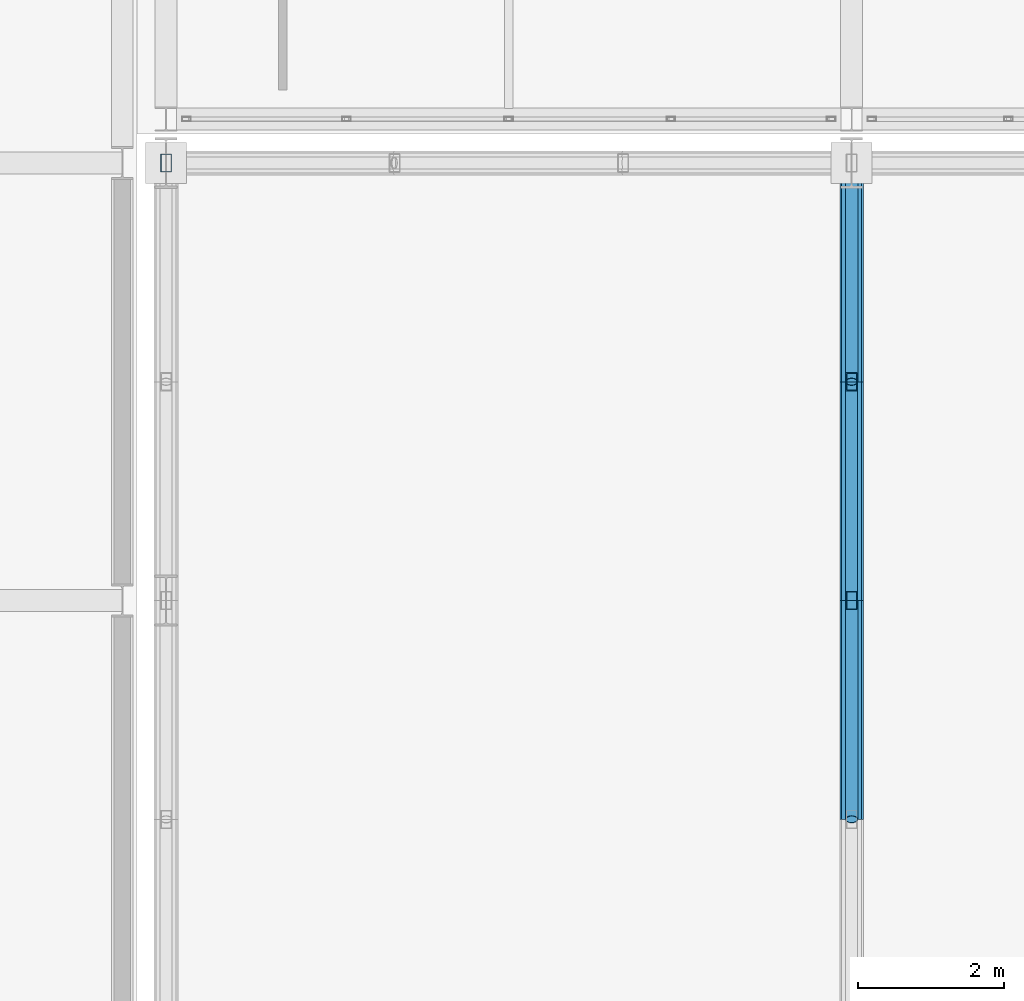
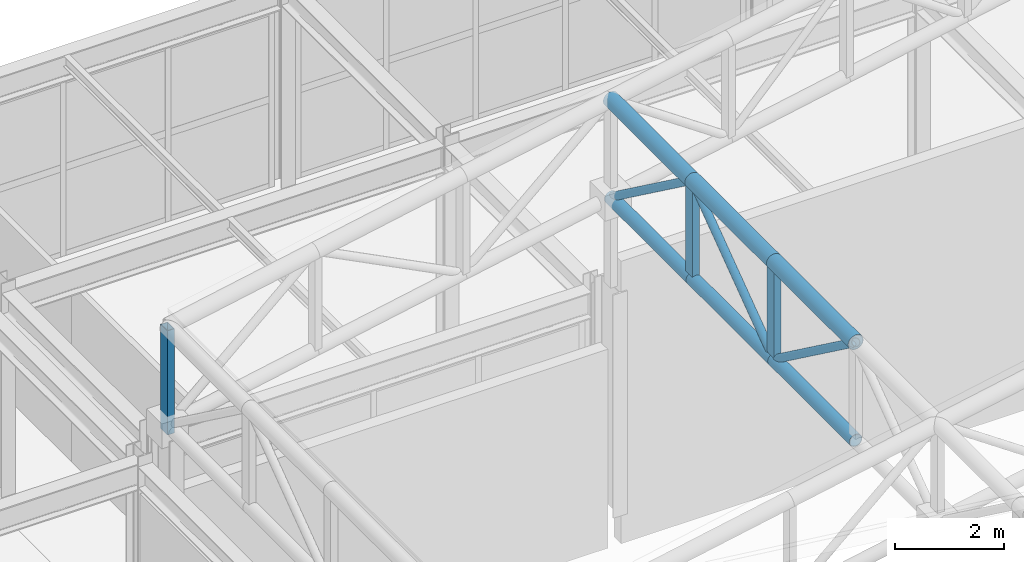
# One storey, part 61 of 112: 12 members.
"""IFC4 building model written with IfcOpenShell, lengths in metres."""

import ifcopenshell
import ifcopenshell.guid

model = None  # the IFC model being written
_history = None  # IfcOwnerHistory: only IFC2X3 demands one
_inside = {}  # id of a spatial element -> (the spatial element, [elements in it])
_under = {}  # id of a project, library or spatial element -> (it, [spatial elements below it])
_declared = {}  # id of a project -> (the project, [libraries it declares])
_typed = {}  # id of a type object -> (the type object, [elements of that type])
_made_of = {}  # id of a material, layer set ... -> (it, [elements and type objects made of it])


def new_model(schema):
    """Start an empty IFC model of exactly this schema.

    Asked for "IFC4X3", IfcOpenShell would pick the latest addendum, in which some entities
    have other attributes; the version numbers below select the first issue.
    IFC2X3 requires an IfcOwnerHistory on every rooted entity: one is made here for all.
    """
    global model, _history
    if schema == "IFC4X3":
        model = ifcopenshell.file(schema_version=(4, 3, 0, 0))
    else:
        model = ifcopenshell.file(schema=schema)
    _inside.clear()
    _under.clear()
    _declared.clear()
    _typed.clear()
    _made_of.clear()
    _history = None
    if model.schema == "IFC2X3":
        org = make("IfcOrganization", Name="unknown")
        user = make(
            "IfcPersonAndOrganization",
            ThePerson=make("IfcPerson", FamilyName="unknown"),
            TheOrganization=org,
        )
        app = make(
            "IfcApplication",
            ApplicationDeveloper=org,
            Version="unknown",
            ApplicationFullName="unknown",
            ApplicationIdentifier="unknown",
        )
        _history = make(
            "IfcOwnerHistory",
            OwningUser=user,
            OwningApplication=app,
            ChangeAction="ADDED",
            CreationDate=0,
        )
    return model


def make(cls, **values):
    """One entity of the class cls with the attributes given. An attribute that is None is left unset."""
    return model.create_entity(
        cls, **{name: value for name, value in values.items() if value is not None}
    )


def rooted(cls, **values):
    """An entity with a GlobalId (a new one), such as an element, a storey or a relation."""
    return make(cls, GlobalId=ifcopenshell.guid.new(), OwnerHistory=_history, **values)


def si_unit(unit_type, name, prefix=None):
    """IfcSIUnit, for example si_unit("LENGTHUNIT", "METRE", prefix="MILLI")."""
    return make("IfcSIUnit", UnitType=unit_type, Prefix=prefix, Name=name)


def assignment(units):
    """IfcUnitAssignment: the units of a project."""
    return None if units is None else make("IfcUnitAssignment", Units=units)


def point(xyz):
    """IfcCartesianPoint."""
    return None if xyz is None else make("IfcCartesianPoint", Coordinates=xyz)


def direction(xyz):
    """IfcDirection."""
    return None if xyz is None else make("IfcDirection", DirectionRatios=xyz)


def frame(location, z_axis=None, x_axis=None):
    """IfcAxis2Placement3D, a coordinate frame: its origin and axes. An axis left out is left unset."""
    return make(
        "IfcAxis2Placement3D",
        Location=point(location),
        Axis=direction(z_axis),
        RefDirection=direction(x_axis),
    )


def frame_2d(location, x_axis=None):
    """IfcAxis2Placement2D, a coordinate frame in the plane: its origin and x axis."""
    return make(
        "IfcAxis2Placement2D", Location=point(location), RefDirection=direction(x_axis)
    )


def origin():
    """The frame at (0, 0, 0) with its axes left unset."""
    return frame((0.0, 0.0, 0.0))


def origin_2d():
    """The frame at (0, 0) in the plane with its x axis left unset."""
    return frame_2d((0.0, 0.0))


def place(relative_to, where):
    """IfcLocalPlacement: puts the frame where relative to a parent placement (None: the world)."""
    return make(
        "IfcLocalPlacement", PlacementRelTo=relative_to, RelativePlacement=where
    )


def context(
    kind, dimensions, precision=None, world=None, true_north=None, identifier=None
):
    """IfcGeometricRepresentationContext, for example the 3D "Model" context."""
    return make(
        "IfcGeometricRepresentationContext",
        ContextIdentifier=identifier,
        ContextType=kind,
        CoordinateSpaceDimension=dimensions,
        Precision=precision,
        WorldCoordinateSystem=world,
        TrueNorth=true_north,
    )


def subcontext(parent, identifier, kind, view, scale=None):
    """IfcGeometricRepresentationSubContext, for example "Body" below "Model"."""
    return make(
        "IfcGeometricRepresentationSubContext",
        ContextIdentifier=identifier,
        ContextType=kind,
        ParentContext=parent,
        TargetScale=scale,
        TargetView=view,
    )


def project(units=None, contexts=None):
    """IfcProject with its units and contexts."""
    return rooted(
        "IfcProject",
        Name="project",
        RepresentationContexts=contexts,
        UnitsInContext=assignment(units),
    )


def spatial(cls, under=None, at=None, **own):
    """A site, building, storey or space (cls), placed at a placement, below another one or the project."""
    s = rooted(cls, ObjectPlacement=at, **own)
    if under is not None:
        _under.setdefault(under.id(), (under, []))[1].append(s)
    return s


def profile(cls, at=None, kind="AREA", **sizes):
    """A parametric profile (cls). Its sizes go by their IFC names, for example OverallWidth=200.0."""
    return make(cls, ProfileType=kind, Position=at, **sizes)


def hollow_rectangle(**sizes):
    """IfcRectangleHollowProfileDef."""
    return profile("IfcRectangleHollowProfileDef", **sizes)


def hollow_circle(**sizes):
    """IfcCircleHollowProfileDef."""
    return profile("IfcCircleHollowProfileDef", **sizes)


def extrude(swept, where, along, depth):
    """IfcExtrudedAreaSolid: the profile swept, set in the frame where, extruded along a direction by depth."""
    return make(
        "IfcExtrudedAreaSolid",
        SweptArea=swept,
        Position=where,
        ExtrudedDirection=direction(along),
        Depth=depth,
    )


def shape(context_of_items, identifier, shape_type, items):
    """IfcShapeRepresentation: the items that make up one representation, for example the "Body"."""
    return make(
        "IfcShapeRepresentation",
        ContextOfItems=context_of_items,
        RepresentationIdentifier=identifier,
        RepresentationType=shape_type,
        Items=items,
    )


def material(Name=None, Category=None):
    """IfcMaterial."""
    return make("IfcMaterial", Name=Name, Category=Category)


def material_profile(
    of_material, cross_section, Name=None, Category=None, Priority=None
):
    """IfcMaterialProfile: a cross section and its material."""
    return make(
        "IfcMaterialProfile",
        Name=Name,
        Material=of_material,
        Profile=cross_section,
        Priority=Priority,
        Category=Category,
    )


def profile_set(profiles, Name=None, composite=None):
    """IfcMaterialProfileSet."""
    return make(
        "IfcMaterialProfileSet",
        Name=Name,
        MaterialProfiles=profiles,
        CompositeProfile=composite,
    )


def made_of(thing, what):
    """Note that an element or type object is made of a material, layer set ...; save() writes the relation."""
    if what is not None:
        _made_of.setdefault(what.id(), (what, []))[1].append(thing)
    return thing


def type_object(cls, material=None, **own):
    """A type object (cls), such as IfcWallType, which elements share."""
    return made_of(rooted(cls, **own), material)


def element(
    cls,
    number,
    at=None,
    inside=None,
    cuts=None,
    type_object=None,
    material=None,
    context=None,
    identifier="Body",
    shape_type=None,
    held_by="IfcProductDefinitionShape",
    body=None,
    shapes=None,
    **own,
):
    """One element of the class cls, such as IfcWall. Its Tag is "e" and its number.

    at: its placement. inside: the storey or other place that contains it. cuts: it is an
    opening in that element (IfcRelVoidsElement). A single representation is given by context,
    identifier, shape_type and body (its items); several are given by shapes. held_by: the class
    of the entity that holds the representations. save() writes the other relations.
    """
    e = rooted(cls, Tag="e%d" % number, ObjectPlacement=at, **own)
    if body is not None:
        shapes = [shape(context, identifier, shape_type, body)]
    if shapes is not None:
        e.Representation = make(held_by, Representations=shapes)
    if inside is not None:
        _inside.setdefault(inside.id(), (inside, []))[1].append(e)
    if cuts is not None:
        rooted(
            "IfcRelVoidsElement", RelatingBuildingElement=cuts, RelatedOpeningElement=e
        )
    if type_object is not None:
        _typed.setdefault(type_object.id(), (type_object, []))[1].append(e)
    return made_of(e, material)


def aggregate(whole, parts):
    """IfcRelAggregates: a whole, such as a stair, and the parts it consists of."""
    return rooted("IfcRelAggregates", RelatingObject=whole, RelatedObjects=parts)


def save(model, path):
    """Write the relations noted so far, then the file.

    IfcRelAggregates (storeys below a building ...), IfcRelContainedInSpatialStructure (elements
    in a storey), IfcRelDefinesByType, IfcRelAssociatesMaterial and IfcRelDeclares: one each for
    every whole, place, type object, material and project.
    """
    for whole, parts in _under.values():
        aggregate(whole, parts)
    for where, things in _inside.values():
        rooted(
            "IfcRelContainedInSpatialStructure",
            RelatedElements=things,
            RelatingStructure=where,
        )
    for kind, things in _typed.values():
        rooted("IfcRelDefinesByType", RelatedObjects=things, RelatingType=kind)
    for what, things in _made_of.values():
        rooted("IfcRelAssociatesMaterial", RelatedObjects=things, RelatingMaterial=what)
    for by, libraries in _declared.values():
        rooted("IfcRelDeclares", RelatingContext=by, RelatedDefinitions=libraries)
    model.write(path)


model = new_model("IFC4")

# Units and contexts
model_context = context("Model", 3, precision=1e-05, world=origin(), true_north=direction((0.0, 1.0)))
body_context = subcontext(model_context, "Body", "Model", "MODEL_VIEW")
ifc_project = project(units=[si_unit("LENGTHUNIT", "METRE"), si_unit("AREAUNIT", "SQUARE_METRE"), si_unit("VOLUMEUNIT", "CUBIC_METRE"), si_unit("PLANEANGLEUNIT", "RADIAN"), si_unit("MASSUNIT", "GRAM", prefix="KILO")], contexts=[model_context])

# Site, building, storey
site_placement = place(None, origin())
site = spatial("IfcSite", under=ifc_project, at=site_placement, CompositionType="ELEMENT")
building_placement = place(site_placement, origin())
building = spatial("IfcBuilding", under=site, at=building_placement, Name="Kaldris Quays Convention Centre", CompositionType="ELEMENT")
storey_placement = place(building_placement, frame((0.0, 0.0, 16.800048828125)))
storey = spatial("IfcBuildingStorey", under=building, at=storey_placement, Name="L03", CompositionType="ELEMENT", Elevation=16.800048828125)

# Members
ifc_material = material(Name="Steel S355J2H", Category="steel")
ifc_material_profile_1 = material_profile(ifc_material, hollow_circle(Radius=0.161865234375, WallThickness=0.01611328125, at=origin_2d()), Name="CHS 323.9x16")
ifc_profile_set_1 = profile_set([ifc_material_profile_1], Name="Steel S355J2H")
member_type_1 = type_object("IfcMemberType", Name="STRUCTURAL MEMBER SC03", PredefinedType="CHORD", material=ifc_profile_set_1)
for number, where, z_axis, x_axis, name in (
    (1, (174.0, 95.0, 9.1435546875), (0.0, 1.0, 0.0), (-1.0, 0.0, 0.0), "SF-V2 Top Chord Y 105"),
    (2, (174.0, 98.0, 9.1435546875), (0.0, 1.0, 0.0), (-1.0, 0.0, 0.0), "SF-V2 Top Chord Y 106"),
    (3, (174.0, 101.0, 9.1435546875), (0.0, 1.0, 0.0), (-1.0, 0.0, 0.0), "SF-V2 Top Chord Y 107"),
):
    element("IfcMember", number, at=place(storey_placement, frame(where, z_axis=z_axis, x_axis=x_axis)), inside=storey, type_object=member_type_1, Name=name, PredefinedType="CHORD", context=body_context, shape_type="SweptSolid", body=[
        extrude(hollow_circle(Radius=0.161865234375, WallThickness=0.01611328125, at=origin_2d()), origin(), (0.0, 0.0, 1.0), 3.0),
    ])
ifc_material_profile_2 = material_profile(ifc_material, hollow_circle(Radius=0.136474609375, WallThickness=0.012451171875, at=origin_2d()), Name="CHS 273x12.5")
ifc_profile_set_2 = profile_set([ifc_material_profile_2], Name="Steel S355J2H")
member_type_2 = type_object("IfcMemberType", Name="STRUCTURAL MEMBER SC04", PredefinedType="CHORD", material=ifc_profile_set_2)
for number, where, z_axis, x_axis, name in (
    (4, (174.0, 95.0, 6.943603515625), (0.0, 1.0, 0.0), (-1.0, 0.0, 0.0), "SF-V2 Bottom Chord Y 105"),
    (5, (174.0, 98.0, 6.943603515625), (0.0, 1.0, 0.0), (-1.0, 0.0, 0.0), "SF-V2 Bottom Chord Y 106"),
    (6, (174.0, 101.0, 6.943603515625), (0.0, 1.0, 0.0), (-1.0, 0.0, 0.0), "SF-V2 Bottom Chord Y 107"),
):
    element("IfcMember", number, at=place(storey_placement, frame(where, z_axis=z_axis, x_axis=x_axis)), inside=storey, type_object=member_type_2, Name=name, PredefinedType="CHORD", context=body_context, shape_type="SweptSolid", body=[
        extrude(hollow_circle(Radius=0.136474609375, WallThickness=0.012451171875, at=origin_2d()), origin(), (0.0, 0.0, 1.0), 3.0),
    ])
ifc_material_profile_3 = material_profile(ifc_material, hollow_circle(Radius=0.084228515625, WallThickness=0.008056640625, at=origin_2d()), Name="CHS 168.3x8")
ifc_profile_set_3 = profile_set([ifc_material_profile_3], Name="Steel S355J2H")
member_type_3 = type_object("IfcMemberType", Name="STRUCTURAL MEMBER SWB2", PredefinedType="BRACE", material=ifc_profile_set_3)
for number, where, z_axis, x_axis, name in (
    (7, (174.0, 98.0, 6.943603515625), (0.0, -0.80641125493, 0.591355128432), (1.0, 0.0, 0.0), "SF-V2 Web Diagonal Y 105"),
    (8, (174.0, 98.0, 6.943603515625), (0.0, 0.80641125493, 0.591355128432), (-1.0, 0.0, 0.0), "SF-V2 Web Diagonal Y 106"),
    (9, (174.0, 104.0, 6.943603515625), (0.0, -0.80641125493, 0.591355128432), (1.0, 0.0, 0.0), "SF-V2 Web Diagonal Y 107"),
):
    element("IfcMember", number, at=place(storey_placement, frame(where, z_axis=z_axis, x_axis=x_axis)), inside=storey, type_object=member_type_3, Name=name, PredefinedType="BRACE", context=body_context, shape_type="SweptSolid", body=[
        extrude(hollow_circle(Radius=0.084228515625, WallThickness=0.008056640625, at=origin_2d()), origin(), (0.0, 0.0, 1.0), 3.72021484375),
    ])
ifc_material_profile_4 = material_profile(ifc_material, hollow_rectangle(XDim=0.14990234375, YDim=0.25, WallThickness=0.010009765625, at=origin_2d()), Name="RHS 250x150x10")
ifc_profile_set_4 = profile_set([ifc_material_profile_4], Name="Steel S355J2H")
member_type_4 = type_object("IfcMemberType", Name="STRUCTURAL MEMBER TTV1", PredefinedType="POST", material=ifc_profile_set_4)
member_placement = place(storey_placement, frame((164.60009765625, 104.0, 4.993896484375), z_axis=(0.0, 0.0, 1.0), x_axis=(1.0, 0.0, 0.0)))
element("IfcMember", 10, at=member_placement, inside=storey, type_object=member_type_4, Name="SF-V2 Space-Frame Post 17", PredefinedType="POST", context=body_context, shape_type="SweptSolid", body=[
    extrude(hollow_rectangle(XDim=0.14990234375, YDim=0.25, WallThickness=0.010009765625, at=origin_2d()), origin(), (0.0, 0.0, 1.0), 2.336669921875),
])
for number, where, z_axis, x_axis, name in (
    (11, (174.0, 98.0, 6.943603515625), (0.0, 0.0, 1.0), (1.0, 0.0, 0.0), "SF-V2 Space-Frame Post 42"),
    (12, (174.0, 101.0, 6.943603515625), (0.0, 0.0, 1.0), (1.0, 0.0, 0.0), "SF-V2 Space-Frame Post 43"),
):
    element("IfcMember", number, at=place(storey_placement, frame(where, z_axis=z_axis, x_axis=x_axis)), inside=storey, type_object=member_type_4, Name=name, PredefinedType="POST", context=body_context, shape_type="SweptSolid", body=[
        extrude(hollow_rectangle(XDim=0.14990234375, YDim=0.25, WallThickness=0.010009765625, at=origin_2d()), origin(), (0.0, 0.0, 1.0), 2.199951171875),
    ])

save(model, "model.ifc")
